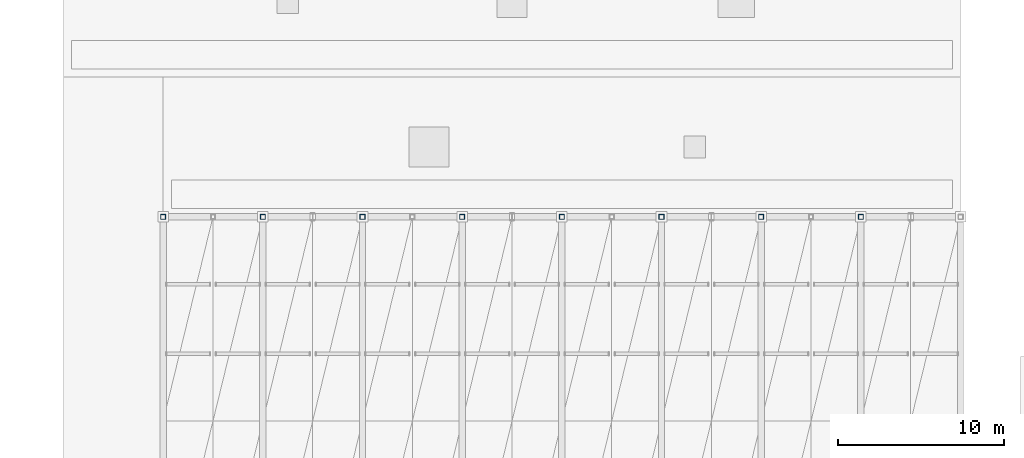
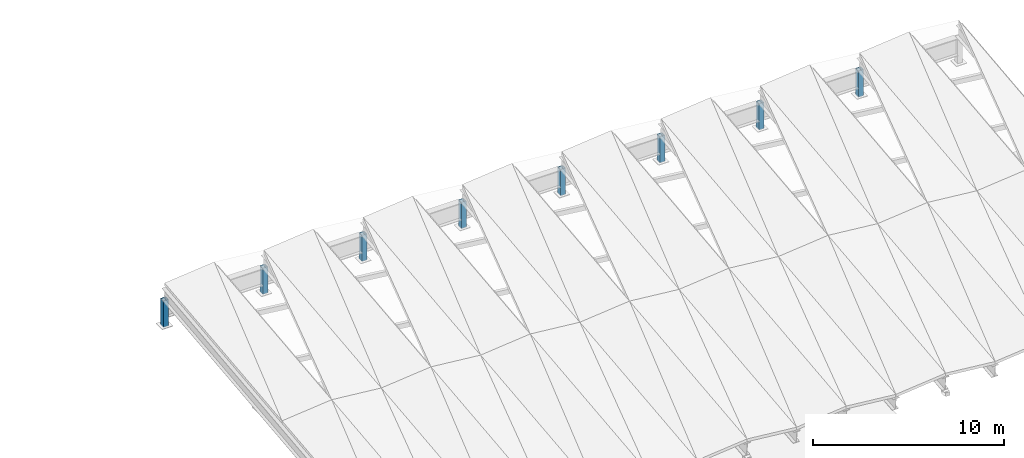
# One storey, part 1 of 52: 8 columns.
"""IFC4 building model written with IfcOpenShell, lengths in metres."""

from ifc_helpers import new_model, si_unit, direction, frame, origin, origin_2d, place, context, subcontext, project, spatial, hollow_rectangle, extrude, material, material_profile, profile_set, type_object, element, save


model = new_model("IFC4")

# Units and contexts
model_context = context("Model", 3, precision=1e-05, world=origin(), true_north=direction((0.0, 1.0)))
body_context = subcontext(model_context, "Body", "Model", "MODEL_VIEW")
ifc_project = project(units=[si_unit("LENGTHUNIT", "METRE"), si_unit("AREAUNIT", "SQUARE_METRE"), si_unit("VOLUMEUNIT", "CUBIC_METRE"), si_unit("PLANEANGLEUNIT", "RADIAN"), si_unit("MASSUNIT", "GRAM", prefix="KILO")], contexts=[model_context])

# Site, building, storey
site_placement = place(None, origin())
site = spatial("IfcSite", under=ifc_project, at=site_placement, CompositionType="ELEMENT")
building_placement = place(site_placement, origin())
building = spatial("IfcBuilding", under=site, at=building_placement, Name="Vaelkrest Opera House", CompositionType="ELEMENT")
storey_placement = place(building_placement, frame((0.0, 0.0, 41.39990234375)))
storey = spatial("IfcBuildingStorey", under=building, at=storey_placement, Name="ROOF", CompositionType="ELEMENT", Elevation=41.39990234375)

# Columns
ifc_material = material(Name="Steel A500 GrC", Category="steel")
ifc_material_profile = material_profile(ifc_material, hollow_rectangle(XDim=0.304931640625, YDim=0.304931640625, WallThickness=0.015869140625, at=origin_2d()), Name="HSS305X305X15.9")
ifc_profile_set = profile_set([ifc_material_profile], Name="Steel A500 GrC")
column_type = type_object("IfcColumnType", Name="C12", PredefinedType="COLUMN", material=ifc_profile_set)
for number, where, z_axis, x_axis, name in (
    (1, (-18.0, 42.0, 0.0), (0.0, 0.0, 1.0), (1.0, 0.0, 0.0), "Roof fold pier post V2-N-00"),
    (2, (-12.0, 42.0, 0.0), (0.0, 0.0, 1.0), (1.0, 0.0, 0.0), "Roof fold pier post V2-N-01"),
    (3, (-6.0, 42.0, 0.0), (0.0, 0.0, 1.0), (1.0, 0.0, 0.0), "Roof fold pier post V2-N-02"),
    (4, (0.0, 42.0, 0.0), (0.0, 0.0, 1.0), (1.0, 0.0, 0.0), "Roof fold pier post V2-N-03"),
    (5, (6.0, 42.0, 0.0), (0.0, 0.0, 1.0), (1.0, 0.0, 0.0), "Roof fold pier post V2-N-04"),
    (6, (12.0, 42.0, 0.0), (0.0, 0.0, 1.0), (1.0, 0.0, 0.0), "Roof fold pier post V2-N-05"),
    (7, (18.0, 42.0, 0.0), (0.0, 0.0, 1.0), (1.0, 0.0, 0.0), "Roof fold pier post V2-N-06"),
    (8, (24.0, 42.0, 0.0), (0.0, 0.0, 1.0), (1.0, 0.0, 0.0), "Roof fold pier post V2-N-07"),
):
    element("IfcColumn", number, at=place(storey_placement, frame(where, z_axis=z_axis, x_axis=x_axis)), inside=storey, type_object=column_type, Name=name, PredefinedType="COLUMN", context=body_context, shape_type="SweptSolid", body=[
        extrude(hollow_rectangle(XDim=0.304931640625, YDim=0.304931640625, WallThickness=0.015869140625, at=origin_2d()), origin(), (0.0, 0.0, 1.0), 1.68505859375),
    ])

save(model, "model.ifc")
